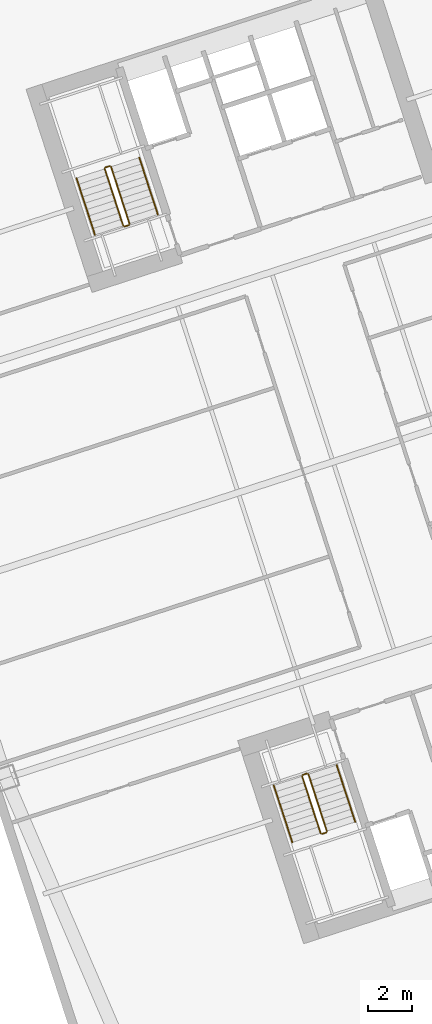
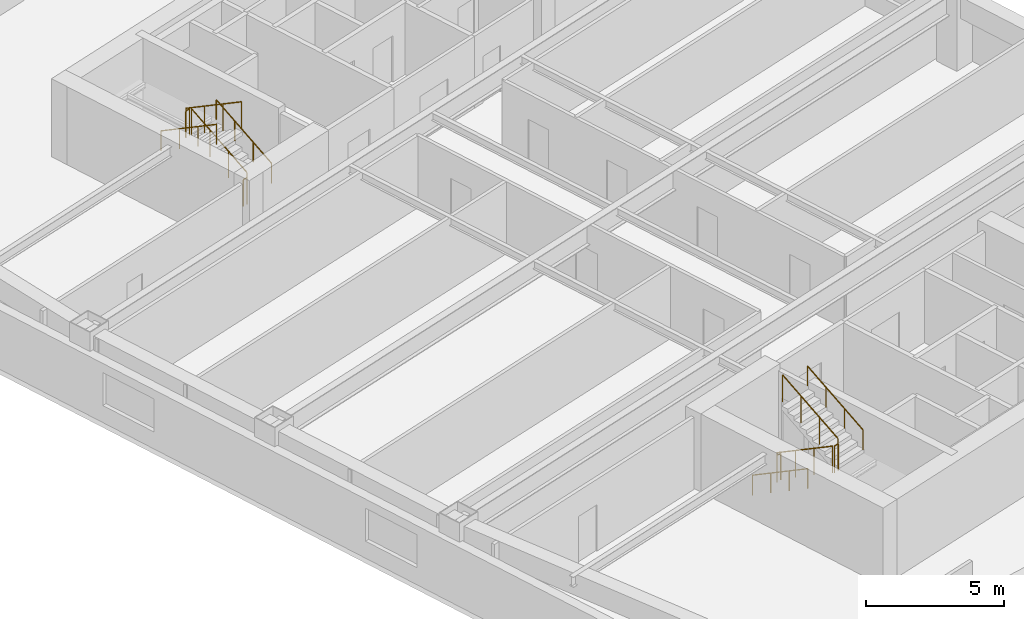
# One storey, part 11 of 11: 12 railings.
"""IFC4 building model written with IfcOpenShell, lengths in metres."""

from ifc_helpers import new_model, si_unit, direction, frame, origin, origin_2d, place, context, subcontext, project, spatial, circle, extrude, material, type_object, element, save


model = new_model("IFC4")

# Units and contexts
model_context = context("Model", 3, precision=1e-05, world=origin(), true_north=direction((0.0, 1.0)))
body_context = subcontext(model_context, "Body", "Model", "MODEL_VIEW")
ifc_project = project(units=[si_unit("LENGTHUNIT", "METRE"), si_unit("AREAUNIT", "SQUARE_METRE"), si_unit("VOLUMEUNIT", "CUBIC_METRE"), si_unit("PLANEANGLEUNIT", "RADIAN"), si_unit("MASSUNIT", "GRAM", prefix="KILO")], contexts=[model_context])

# Site, building, storey
site_placement = place(None, origin())
site = spatial("IfcSite", under=ifc_project, at=site_placement, CompositionType="ELEMENT")
building_placement = place(site_placement, origin())
building = spatial("IfcBuilding", under=site, at=building_placement, Name="Qiaolan Cultural Towers", CompositionType="ELEMENT")
storey_placement = place(building_placement, frame((0.0, 0.0, 64.39990234375)))
storey = spatial("IfcBuildingStorey", under=building, at=storey_placement, Name="L15", CompositionType="ELEMENT", Elevation=64.39990234375)

# Railings
ifc_material_1 = material(Name="Galvanized Painted Steel Stair Guardrail", Category="steel")
railing_type_1 = type_object("IfcRailingType", Name="RL-STAIR-GRD", PredefinedType="GUARDRAIL", material=ifc_material_1)
railing_1_placement = place(storey_placement, frame((88.60205078125, 19.82421875, 0.172607421875)))
element("IfcRailing", 1, at=railing_1_placement, inside=storey, type_object=railing_type_1, Name="L15 ST-E1 stair guard 1", PredefinedType="GUARDRAIL", context=body_context, shape_type="SweptSolid", body=[
    extrude(circle(Radius=0.02392578125, at=origin_2d()), frame((0.0, 0.0, 1.17578125), z_axis=(0.267925668498, -0.824471088726, 0.498460891159), x_axis=(0.951043371037, 0.309057448393, 0.0)), (0.0, 0.0, 1.0), 3.114501953125),
    extrude(circle(Radius=0.02099609375, at=origin_2d()), origin(), (0.0, 0.0, 1.0), 1.15185546875),
    extrude(circle(Radius=0.02099609375, at=origin_2d()), frame((0.278076171875, -0.85595703125, 0.517578125)), (0.0, 0.0, 1.0), 1.15185546875),
    extrude(circle(Radius=0.02099609375, at=origin_2d()), frame((0.556396484375, -1.7119140625, 1.034912109375)), (0.0, 0.0, 1.0), 1.15185546875),
    extrude(circle(Radius=0.02099609375, at=origin_2d()), frame((0.83447265625, -2.56787109375, 1.552490234375)), (0.0, 0.0, 1.0), 1.15185546875),
])
railing_2_placement = place(storey_placement, frame((89.49951171875, 17.224365234375, 1.72509765625)))
element("IfcRailing", 2, at=railing_2_placement, inside=storey, type_object=railing_type_1, Name="L15 ST-E1 stair guard 2", PredefinedType="GUARDRAIL", context=body_context, shape_type="SweptSolid", body=[
    extrude(circle(Radius=0.02392578125, at=origin_2d()), frame((0.0, 0.0, 1.17578125), z_axis=(0.951096855055, 0.308892816854, 0.0), x_axis=(-0.308892816854, 0.951096855055, 0.0)), (0.0, 0.0, 1.0), 0.199951171875),
    extrude(circle(Radius=0.02099609375, at=origin_2d()), origin(), (0.0, 0.0, 1.0), 1.15185546875),
    extrude(circle(Radius=0.02099609375, at=origin_2d()), frame((0.190185546875, 0.061767578125, 0.0)), (0.0, 0.0, 1.0), 1.15185546875),
])
railing_3_placement = place(storey_placement, frame((89.721923828125, 17.34912109375, 1.897705078125)))
element("IfcRailing", 3, at=railing_3_placement, inside=storey, type_object=railing_type_1, Name="L15 ST-E1 stair guard 3", PredefinedType="GUARDRAIL", context=body_context, shape_type="SweptSolid", body=[
    extrude(circle(Radius=0.02392578125, at=origin_2d()), frame((0.0, 0.0, 1.17578125), z_axis=(-0.267925668498, 0.824471088726, 0.498460891159), x_axis=(-0.951043371037, -0.309057448393, 0.0)), (0.0, 0.0, 1.0), 3.114501953125),
    extrude(circle(Radius=0.02099609375, at=origin_2d()), origin(), (0.0, 0.0, 1.0), 1.15185546875),
    extrude(circle(Radius=0.02099609375, at=origin_2d()), frame((-0.278076171875, 0.85595703125, 0.517578125)), (0.0, 0.0, 1.0), 1.15185546875),
    extrude(circle(Radius=0.02099609375, at=origin_2d()), frame((-0.556396484375, 1.7119140625, 1.034912109375)), (0.0, 0.0, 1.0), 1.15185546875),
    extrude(circle(Radius=0.02099609375, at=origin_2d()), frame((-0.83447265625, 2.56787109375, 1.552490234375)), (0.0, 0.0, 1.0), 1.15185546875),
])
railing_4_placement = place(storey_placement, frame((88.63427734375, 19.88720703125, 0.0)))
element("IfcRailing", 4, at=railing_4_placement, inside=storey, type_object=railing_type_1, Name="L15 ST-E1 stair guard 4", PredefinedType="GUARDRAIL", context=body_context, shape_type="SweptSolid", body=[
    extrude(circle(Radius=0.02392578125, at=origin_2d()), frame((0.0, 0.0, 1.17578125), z_axis=(0.951096855055, 0.308892816854, 0.0), x_axis=(-0.308892816854, 0.951096855055, 0.0)), (0.0, 0.0, 1.0), 0.199951171875),
    extrude(circle(Radius=0.02099609375, at=origin_2d()), origin(), (0.0, 0.0, 1.0), 1.15185546875),
    extrude(circle(Radius=0.02099609375, at=origin_2d()), frame((0.190185546875, 0.061767578125, 0.0)), (0.0, 0.0, 1.0), 1.15185546875),
])
railing_5_placement = place(storey_placement, frame((80.822021484375, 44.739501953125, 0.172607421875)))
element("IfcRailing", 5, at=railing_5_placement, inside=storey, type_object=railing_type_1, Name="L15 ST-E2 stair guard 1", PredefinedType="GUARDRAIL", context=body_context, shape_type="SweptSolid", body=[
    extrude(circle(Radius=0.02392578125, at=origin_2d()), frame((0.0, 0.0, 1.17578125), z_axis=(-0.26785290645, 0.824488402118, 0.498471358535), x_axis=(-0.951069945308, -0.308975661068, 0.0)), (0.0, 0.0, 1.0), 3.114501953125),
    extrude(circle(Radius=0.02099609375, at=origin_2d()), origin(), (0.0, 0.0, 1.0), 1.15185546875),
    extrude(circle(Radius=0.02099609375, at=origin_2d()), frame((-0.278076171875, 0.85595703125, 0.517578125)), (0.0, 0.0, 1.0), 1.15185546875),
    extrude(circle(Radius=0.02099609375, at=origin_2d()), frame((-0.55615234375, 1.7119140625, 1.034912109375)), (0.0, 0.0, 1.0), 1.15185546875),
    extrude(circle(Radius=0.02099609375, at=origin_2d()), frame((-0.834228515625, 2.56787109375, 1.552490234375)), (0.0, 0.0, 1.0), 1.15185546875),
])
railing_6_placement = place(storey_placement, frame((79.9248046875, 47.33935546875, 1.72509765625)))
element("IfcRailing", 6, at=railing_6_placement, inside=storey, type_object=railing_type_1, Name="L15 ST-E2 stair guard 2", PredefinedType="GUARDRAIL", context=body_context, shape_type="SweptSolid", body=[
    extrude(circle(Radius=0.02392578125, at=origin_2d()), frame((0.0, 0.0, 1.17578125), z_axis=(-0.951096855055, -0.308892816854, 0.0), x_axis=(0.308892816854, -0.951096855055, 0.0)), (0.0, 0.0, 1.0), 0.199951171875),
    extrude(circle(Radius=0.02099609375, at=origin_2d()), origin(), (0.0, 0.0, 1.0), 1.15185546875),
    extrude(circle(Radius=0.02099609375, at=origin_2d()), frame((-0.190185546875, -0.061767578125, 0.0)), (0.0, 0.0, 1.0), 1.15185546875),
])
railing_7_placement = place(storey_placement, frame((79.702392578125, 47.214599609375, 1.897705078125)))
element("IfcRailing", 7, at=railing_7_placement, inside=storey, type_object=railing_type_1, Name="L15 ST-E2 stair guard 3", PredefinedType="GUARDRAIL", context=body_context, shape_type="SweptSolid", body=[
    extrude(circle(Radius=0.02392578125, at=origin_2d()), frame((0.0, 0.0, 1.17578125), z_axis=(0.267925668498, -0.824471088726, 0.498460891159), x_axis=(0.951043371037, 0.309057448393, 0.0)), (0.0, 0.0, 1.0), 3.114501953125),
    extrude(circle(Radius=0.02099609375, at=origin_2d()), origin(), (0.0, 0.0, 1.0), 1.15185546875),
    extrude(circle(Radius=0.02099609375, at=origin_2d()), frame((0.278076171875, -0.85595703125, 0.517578125)), (0.0, 0.0, 1.0), 1.15185546875),
    extrude(circle(Radius=0.02099609375, at=origin_2d()), frame((0.556396484375, -1.7119140625, 1.034912109375)), (0.0, 0.0, 1.0), 1.15185546875),
    extrude(circle(Radius=0.02099609375, at=origin_2d()), frame((0.83447265625, -2.56787109375, 1.552490234375)), (0.0, 0.0, 1.0), 1.15185546875),
])
railing_8_placement = place(storey_placement, frame((80.7900390625, 44.676513671875, 0.0)))
element("IfcRailing", 8, at=railing_8_placement, inside=storey, type_object=railing_type_1, Name="L15 ST-E2 stair guard 4", PredefinedType="GUARDRAIL", context=body_context, shape_type="SweptSolid", body=[
    extrude(circle(Radius=0.02392578125, at=origin_2d()), frame((0.0, 0.0, 1.17578125), z_axis=(-0.951096855055, -0.308892816854, 0.0), x_axis=(0.308892816854, -0.951096855055, 0.0)), (0.0, 0.0, 1.0), 0.199951171875),
    extrude(circle(Radius=0.02099609375, at=origin_2d()), origin(), (0.0, 0.0, 1.0), 1.15185546875),
    extrude(circle(Radius=0.02099609375, at=origin_2d()), frame((-0.190185546875, -0.061767578125, 0.0)), (0.0, 0.0, 1.0), 1.15185546875),
])
ifc_material_2 = material(Name="Stainless Steel S30408 Tubular Handrail", Category="steel")
railing_type_2 = type_object("IfcRailingType", Name="RL-STAIR-HR", PredefinedType="HANDRAIL", material=ifc_material_2)
railing_9_placement = place(storey_placement, frame((87.32763671875, 19.41015625, 0.172607421875)))
element("IfcRailing", 9, at=railing_9_placement, inside=storey, type_object=railing_type_2, Name="L15 ST-E1 stair handrail 1", PredefinedType="HANDRAIL", context=body_context, shape_type="SweptSolid", body=[
    extrude(circle(Radius=0.02392578125, at=origin_2d()), frame((0.0, 0.0, 0.8759765625), z_axis=(0.267925668498, -0.824471088726, 0.498460891159), x_axis=(0.951043371037, 0.309057448393, 0.0)), (0.0, 0.0, 1.0), 3.114501953125),
    extrude(circle(Radius=0.02099609375, at=origin_2d()), origin(), (0.0, 0.0, 1.0), 0.851806640625),
    extrude(circle(Radius=0.02099609375, at=origin_2d()), frame((0.278076171875, -0.85595703125, 0.517578125)), (0.0, 0.0, 1.0), 0.851806640625),
    extrude(circle(Radius=0.02099609375, at=origin_2d()), frame((0.556396484375, -1.7119140625, 1.034912109375)), (0.0, 0.0, 1.0), 0.851806640625),
    extrude(circle(Radius=0.02099609375, at=origin_2d()), frame((0.83447265625, -2.56787109375, 1.552490234375)), (0.0, 0.0, 1.0), 0.851806640625),
])
railing_10_placement = place(storey_placement, frame((90.996337890625, 17.76318359375, 1.897705078125)))
element("IfcRailing", 10, at=railing_10_placement, inside=storey, type_object=railing_type_2, Name="L15 ST-E1 stair handrail 2", PredefinedType="HANDRAIL", context=body_context, shape_type="SweptSolid", body=[
    extrude(circle(Radius=0.02392578125, at=origin_2d()), frame((0.0, 0.0, 0.8759765625), z_axis=(-0.267925668498, 0.824471088726, 0.498460891159), x_axis=(-0.951043371037, -0.309057448393, 0.0)), (0.0, 0.0, 1.0), 3.114501953125),
    extrude(circle(Radius=0.02099609375, at=origin_2d()), origin(), (0.0, 0.0, 1.0), 0.851806640625),
    extrude(circle(Radius=0.02099609375, at=origin_2d()), frame((-0.278076171875, 0.85595703125, 0.517578125)), (0.0, 0.0, 1.0), 0.851806640625),
    extrude(circle(Radius=0.02099609375, at=origin_2d()), frame((-0.556396484375, 1.7119140625, 1.034912109375)), (0.0, 0.0, 1.0), 0.851806640625),
    extrude(circle(Radius=0.02099609375, at=origin_2d()), frame((-0.83447265625, 2.56787109375, 1.552490234375)), (0.0, 0.0, 1.0), 0.851806640625),
])
railing_11_placement = place(storey_placement, frame((82.096435546875, 45.153564453125, 0.172607421875)))
element("IfcRailing", 11, at=railing_11_placement, inside=storey, type_object=railing_type_2, Name="L15 ST-E2 stair handrail 1", PredefinedType="HANDRAIL", context=body_context, shape_type="SweptSolid", body=[
    extrude(circle(Radius=0.02392578125, at=origin_2d()), frame((0.0, 0.0, 0.8759765625), z_axis=(-0.26785290645, 0.824488402118, 0.498471358535), x_axis=(-0.951069945308, -0.308975661068, 0.0)), (0.0, 0.0, 1.0), 3.114501953125),
    extrude(circle(Radius=0.02099609375, at=origin_2d()), origin(), (0.0, 0.0, 1.0), 0.851806640625),
    extrude(circle(Radius=0.02099609375, at=origin_2d()), frame((-0.278076171875, 0.85595703125, 0.517578125)), (0.0, 0.0, 1.0), 0.851806640625),
    extrude(circle(Radius=0.02099609375, at=origin_2d()), frame((-0.55615234375, 1.7119140625, 1.034912109375)), (0.0, 0.0, 1.0), 0.851806640625),
    extrude(circle(Radius=0.02099609375, at=origin_2d()), frame((-0.834228515625, 2.56787109375, 1.552490234375)), (0.0, 0.0, 1.0), 0.851806640625),
])
railing_12_placement = place(storey_placement, frame((78.427978515625, 46.800537109375, 1.897705078125)))
element("IfcRailing", 12, at=railing_12_placement, inside=storey, type_object=railing_type_2, Name="L15 ST-E2 stair handrail 2", PredefinedType="HANDRAIL", context=body_context, shape_type="SweptSolid", body=[
    extrude(circle(Radius=0.02392578125, at=origin_2d()), frame((0.0, 0.0, 0.8759765625), z_axis=(0.267925668498, -0.824471088726, 0.498460891159), x_axis=(0.951043371037, 0.309057448393, 0.0)), (0.0, 0.0, 1.0), 3.114501953125),
    extrude(circle(Radius=0.02099609375, at=origin_2d()), origin(), (0.0, 0.0, 1.0), 0.851806640625),
    extrude(circle(Radius=0.02099609375, at=origin_2d()), frame((0.278076171875, -0.85595703125, 0.517578125)), (0.0, 0.0, 1.0), 0.851806640625),
    extrude(circle(Radius=0.02099609375, at=origin_2d()), frame((0.556396484375, -1.7119140625, 1.034912109375)), (0.0, 0.0, 1.0), 0.851806640625),
    extrude(circle(Radius=0.02099609375, at=origin_2d()), frame((0.83447265625, -2.56787109375, 1.552490234375)), (0.0, 0.0, 1.0), 0.851806640625),
])

save(model, "model.ifc")
